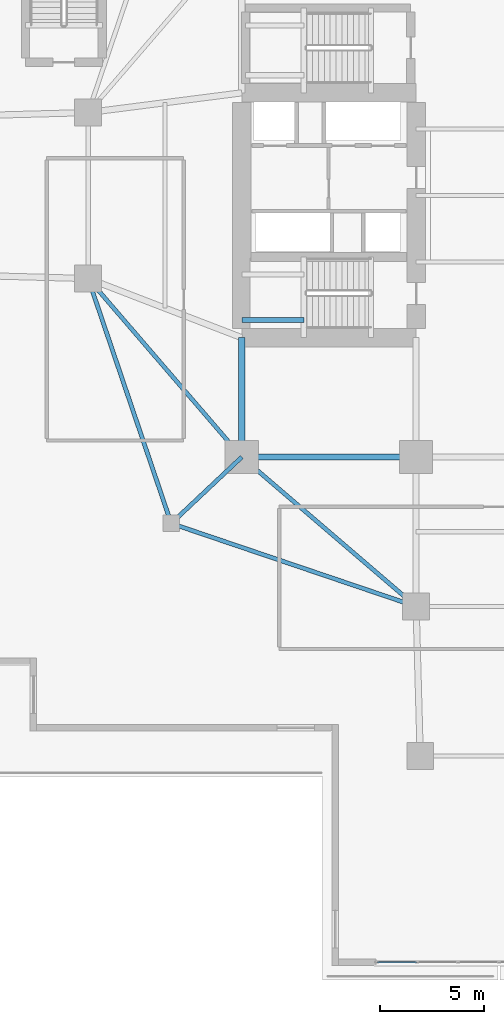
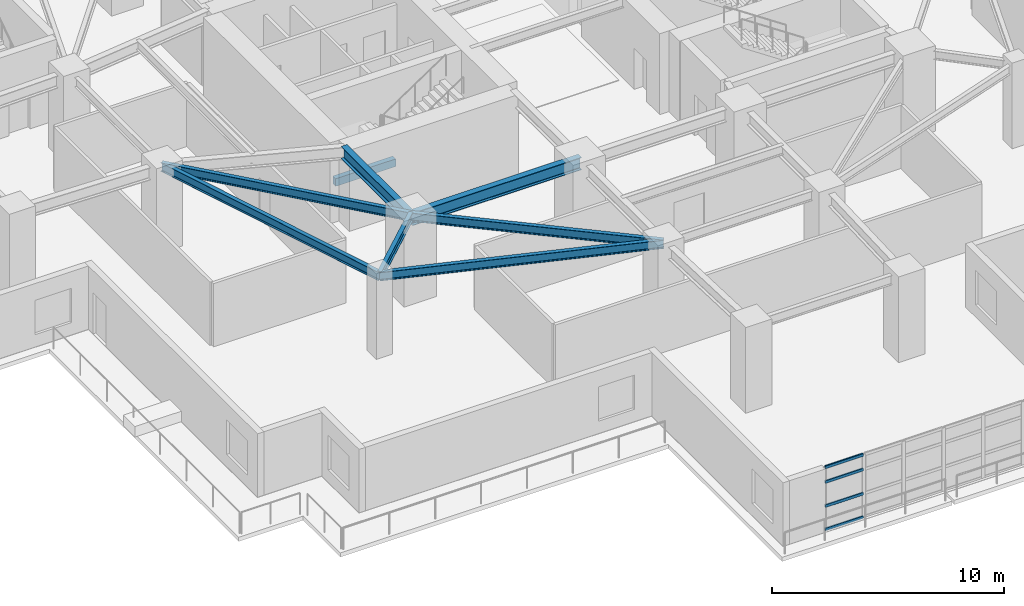
# One storey, part 4 of 24: 8 beams, 4 members, 1 element without a shape of its own.
"""IFC4 building model written with IfcOpenShell, lengths in metres."""

from ifc_helpers import new_model, si_unit, direction, frame, origin, origin_2d, place, context, subcontext, project, spatial, rectangle, hollow_rectangle, i_section, extrude, material, layer, layer_set, material_profile, profile_set, type_object, element, aggregate, save


model = new_model("IFC4")

# Units and contexts
model_context = context("Model", 3, precision=1e-05, world=origin(), true_north=direction((0.0, 1.0)))
body_context = subcontext(model_context, "Body", "Model", "MODEL_VIEW")
ifc_project = project(units=[si_unit("LENGTHUNIT", "METRE"), si_unit("AREAUNIT", "SQUARE_METRE"), si_unit("VOLUMEUNIT", "CUBIC_METRE"), si_unit("PLANEANGLEUNIT", "RADIAN"), si_unit("MASSUNIT", "GRAM", prefix="KILO")], contexts=[model_context])

# Site, building, storey
site_placement = place(None, origin())
site = spatial("IfcSite", under=ifc_project, at=site_placement, CompositionType="ELEMENT")
building_placement = place(site_placement, origin())
building = spatial("IfcBuilding", under=site, at=building_placement, Name="Qingluan Cross Belvedere", CompositionType="ELEMENT")
storey_placement = place(building_placement, frame((0.0, 0.0, 14.699951171875)))
storey = spatial("IfcBuildingStorey", under=building, at=storey_placement, Name="L04", CompositionType="ELEMENT", Elevation=14.699951171875)

# Curtain wall, members
ifc_material_1 = material(Name="Thermally broken aluminium and Low-E glass", Category="aluminium")
ifc_layer = layer(ifc_material_1, 0.219970703125, Name="UnitisedCW_BallroomFoyer")
ifc_layer_set = layer_set([ifc_layer], Name="Thermally broken aluminium and Low-E glass")
curtain_wall_type = type_object("IfcCurtainWallType", Name="UnitisedCW_BallroomFoyer", PredefinedType="USERDEFINED", material=ifc_layer_set)
curtain_wall_placement = place(storey_placement, origin())
curtain_wall = element("IfcCurtainWall", 1, at=curtain_wall_placement, inside=storey, type_object=curtain_wall_type, Name="UnitisedCW_BallroomFoyer run env:cw:L04:S", ObjectType="UNITISED CURTAIN WALL", PredefinedType="USERDEFINED")
ifc_material_2 = material(Name="Aluminium alloy 6063-T6", Category="aluminium")
ifc_material_profile_1 = material_profile(ifc_material_2, hollow_rectangle(XDim=0.074951171875, YDim=0.14990234375, WallThickness=0.00390625, InnerFilletRadius=0.00390625, OuterFilletRadius=0.008056640625, at=origin_2d()), Name="CWT150x75x4")
ifc_profile_set_1 = profile_set([ifc_material_profile_1], Name="Aluminium alloy 6063-T6")
member_type = type_object("IfcMemberType", Name="CWTransom_150", PredefinedType="USERDEFINED", material=ifc_profile_set_1)
member_1_placement = place(storey_placement, frame((-3.9833984375, -36.93994140625, 0.030029296875), z_axis=(-1.0, 0.0, 0.0), x_axis=(0.0, -1.0, 0.0)))
member_1 = element("IfcMember", 2, at=member_1_placement, type_object=member_type, Name="CW-P2 transom 6.1", ObjectType="TRANSOM", PredefinedType="USERDEFINED", context=body_context, shape_type="SweptSolid", body=[
    extrude(hollow_rectangle(XDim=0.074951171875, YDim=0.14990234375, WallThickness=0.00390625, InnerFilletRadius=0.00390625, OuterFilletRadius=0.008056640625, at=origin_2d()), origin(), (0.0, 0.0, 1.0), 1.88671875),
])
member_2_placement = place(storey_placement, frame((-3.9833984375, -36.93994140625, 1.26513671875), z_axis=(-1.0, 0.0, 0.0), x_axis=(0.0, -1.0, 0.0)))
member_2 = element("IfcMember", 3, at=member_2_placement, type_object=member_type, Name="CW-P2 transom 6.2", ObjectType="TRANSOM", PredefinedType="USERDEFINED", context=body_context, shape_type="SweptSolid", body=[
    extrude(hollow_rectangle(XDim=0.074951171875, YDim=0.14990234375, WallThickness=0.00390625, InnerFilletRadius=0.00390625, OuterFilletRadius=0.008056640625, at=origin_2d()), origin(), (0.0, 0.0, 1.0), 1.88671875),
])
member_3_placement = place(storey_placement, frame((-3.9833984375, -36.93994140625, 2.531005859375), z_axis=(-1.0, 0.0, 0.0), x_axis=(0.0, -1.0, 0.0)))
member_3 = element("IfcMember", 4, at=member_3_placement, type_object=member_type, Name="CW-P2 transom 6.3", ObjectType="TRANSOM", PredefinedType="USERDEFINED", context=body_context, shape_type="SweptSolid", body=[
    extrude(hollow_rectangle(XDim=0.074951171875, YDim=0.14990234375, WallThickness=0.00390625, InnerFilletRadius=0.00390625, OuterFilletRadius=0.008056640625, at=origin_2d()), origin(), (0.0, 0.0, 1.0), 1.88671875),
])
member_4_placement = place(storey_placement, frame((-3.9833984375, -36.93994140625, 3.300048828125), z_axis=(-1.0, 0.0, 0.0), x_axis=(0.0, -1.0, 0.0)))
member_4 = element("IfcMember", 5, at=member_4_placement, type_object=member_type, Name="CW-P2 transom 6.4", ObjectType="TRANSOM", PredefinedType="USERDEFINED", context=body_context, shape_type="SweptSolid", body=[
    extrude(hollow_rectangle(XDim=0.074951171875, YDim=0.14990234375, WallThickness=0.00390625, InnerFilletRadius=0.00390625, OuterFilletRadius=0.008056640625, at=origin_2d()), origin(), (0.0, 0.0, 1.0), 1.88671875),
])
aggregate(curtain_wall, [member_1, member_2, member_3, member_4])

# Beams
ifc_material_3 = material(Name="Concrete C45", Category="concrete")
ifc_material_profile_2 = material_profile(ifc_material_3, rectangle(XDim=0.25, YDim=0.39990234375, at=origin_2d()), Name="RC250x400")
ifc_profile_set_2 = profile_set([ifc_material_profile_2], Name="Concrete C45")
beam_type_1 = type_object("IfcBeamType", Name="RC_Lintel_RC250x400", PredefinedType="LINTEL", material=ifc_profile_set_2)
beam_1_placement = place(storey_placement, frame((-12.39990234375, -6.0, 1.85009765625), z_axis=(1.0, 0.0, 0.0), x_axis=(0.0, 1.0, 0.0)))
element("IfcBeam", 6, at=beam_1_placement, inside=storey, type_object=beam_type_1, Name="Stair ST1 beam B L04", PredefinedType="LINTEL", context=body_context, shape_type="SweptSolid", body=[
    extrude(rectangle(XDim=0.25, YDim=0.39990234375, at=origin_2d()), origin(), (0.0, 0.0, 1.0), 2.989990234375),
])
ifc_material_4 = material(Name="Steel Q420GJB", Category="steel")
ifc_material_profile_3 = material_profile(ifc_material_4, i_section(OverallWidth=0.199951171875, OverallDepth=0.449951171875, WebThickness=0.009033203125, FlangeThickness=0.013916015625, FilletRadius=0.01611328125, at=origin_2d()), Name="HN450x200x9x14")
ifc_profile_set_3 = profile_set([ifc_material_profile_3], Name="Steel Q420GJB")
beam_type_2 = type_object("IfcBeamType", Name="Steel_Beam_HN450x200x9x14", PredefinedType="JOIST", material=ifc_profile_set_3)
beam_2_placement = place(storey_placement, frame((-12.39990234375, -12.60009765625, 4.025146484375), z_axis=(-0.728219948308, -0.685343495546, 0.0), x_axis=(0.685343495546, -0.728219948308, 0.0)))
element("IfcBeam", 7, at=beam_2_placement, inside=storey, type_object=beam_type_2, Name="Corner beam 1 L04-RSW", PredefinedType="JOIST", context=body_context, shape_type="SweptSolid", body=[
    extrude(i_section(OverallWidth=0.199951171875, OverallDepth=0.449951171875, WebThickness=0.009033203125, FlangeThickness=0.013916015625, FilletRadius=0.01611328125, at=origin_2d()), origin(), (0.0, 0.0, 1.0), 4.669189453125),
])
for number, where, z_axis, x_axis, name in (
    (8, (-15.800048828125, -15.800048828125, 4.025146484375), (0.947066283324, -0.321038089628, 0.0), (0.321038089628, 0.947066283324, 0.0), "Corner beam 2 L04-RSW"),
    (9, (-15.800048828125, -15.800048828125, 4.025146484375), (-0.321038089628, 0.947066283324, 0.0), (-0.947066283324, -0.321038089628, 0.0), "Corner beam 3 L04-RSW"),
):
    element("IfcBeam", number, at=place(storey_placement, frame(where, z_axis=z_axis, x_axis=x_axis)), inside=storey, type_object=beam_type_2, Name=name, PredefinedType="JOIST", context=body_context, shape_type="SweptSolid", body=[
        extrude(i_section(OverallWidth=0.199951171875, OverallDepth=0.449951171875, WebThickness=0.009033203125, FlangeThickness=0.013916015625, FilletRadius=0.01611328125, at=origin_2d()), origin(), (0.0, 0.0, 1.0), 12.45947265625),
    ])
beam_3_placement = place(storey_placement, frame((-12.39990234375, -12.60009765625, 4.025146484375), z_axis=(-0.652245077546, 0.75800815221, 0.0), x_axis=(-0.75800815221, -0.652245077546, 0.0)))
element("IfcBeam", 10, at=beam_3_placement, inside=storey, type_object=beam_type_2, Name="Corner beam 4 L04-RSW", PredefinedType="JOIST", context=body_context, shape_type="SweptSolid", body=[
    extrude(i_section(OverallWidth=0.199951171875, OverallDepth=0.449951171875, WebThickness=0.009033203125, FlangeThickness=0.013916015625, FilletRadius=0.01611328125, at=origin_2d()), origin(), (0.0, 0.0, 1.0), 11.345703125),
])
beam_4_placement = place(storey_placement, frame((-12.39990234375, -12.60009765625, 4.025146484375), z_axis=(0.759255044656, -0.650793190779, 0.0), x_axis=(0.650793190779, 0.759255044656, 0.0)))
element("IfcBeam", 11, at=beam_4_placement, inside=storey, type_object=beam_type_2, Name="Corner beam 5 L04-RSW", PredefinedType="JOIST", context=body_context, shape_type="SweptSolid", body=[
    extrude(i_section(OverallWidth=0.199951171875, OverallDepth=0.449951171875, WebThickness=0.009033203125, FlangeThickness=0.013916015625, FilletRadius=0.01611328125, at=origin_2d()), origin(), (0.0, 0.0, 1.0), 11.063232421875),
])
ifc_material_5 = material(Name="Steel Q420GJB", Category="steel")
ifc_material_profile_4 = material_profile(ifc_material_5, i_section(OverallWidth=0.300048828125, OverallDepth=0.64990234375, WebThickness=0.014404296875, FlangeThickness=0.02587890625, FilletRadius=0.027099609375, at=origin_2d()), Name="HEB650")
ifc_profile_set_4 = profile_set([ifc_material_profile_4], Name="Steel Q420GJB")
beam_type_3 = type_object("IfcBeamType", Name="Steel_Girder_HEB650", PredefinedType="USERDEFINED", material=ifc_profile_set_4)
beam_5_placement = place(storey_placement, frame((-12.39990234375, -12.60009765625, 3.925048828125), z_axis=(1.0, 0.0, 0.0), x_axis=(0.0, 1.0, 0.0)))
element("IfcBeam", 12, at=beam_5_placement, inside=storey, type_object=beam_type_3, Name="Hub girder L04-HG-S1", ObjectType="GIRDER", PredefinedType="USERDEFINED", context=body_context, shape_type="SweptSolid", body=[
    extrude(i_section(OverallWidth=0.300048828125, OverallDepth=0.64990234375, WebThickness=0.014404296875, FlangeThickness=0.02587890625, FilletRadius=0.027099609375, at=origin_2d()), origin(), (0.0, 0.0, 1.0), 8.39990234375),
])
beam_6_placement = place(storey_placement, frame((-12.39990234375, -12.60009765625, 3.925048828125), z_axis=(0.0, 1.0, 0.0), x_axis=(-1.0, 0.0, 0.0)))
element("IfcBeam", 13, at=beam_6_placement, inside=storey, type_object=beam_type_3, Name="Hub girder L04-HG-W1", ObjectType="GIRDER", PredefinedType="USERDEFINED", context=body_context, shape_type="SweptSolid", body=[
    extrude(i_section(OverallWidth=0.300048828125, OverallDepth=0.64990234375, WebThickness=0.014404296875, FlangeThickness=0.02587890625, FilletRadius=0.027099609375, at=origin_2d()), origin(), (0.0, 0.0, 1.0), 5.75),
])

save(model, "model.ifc")
